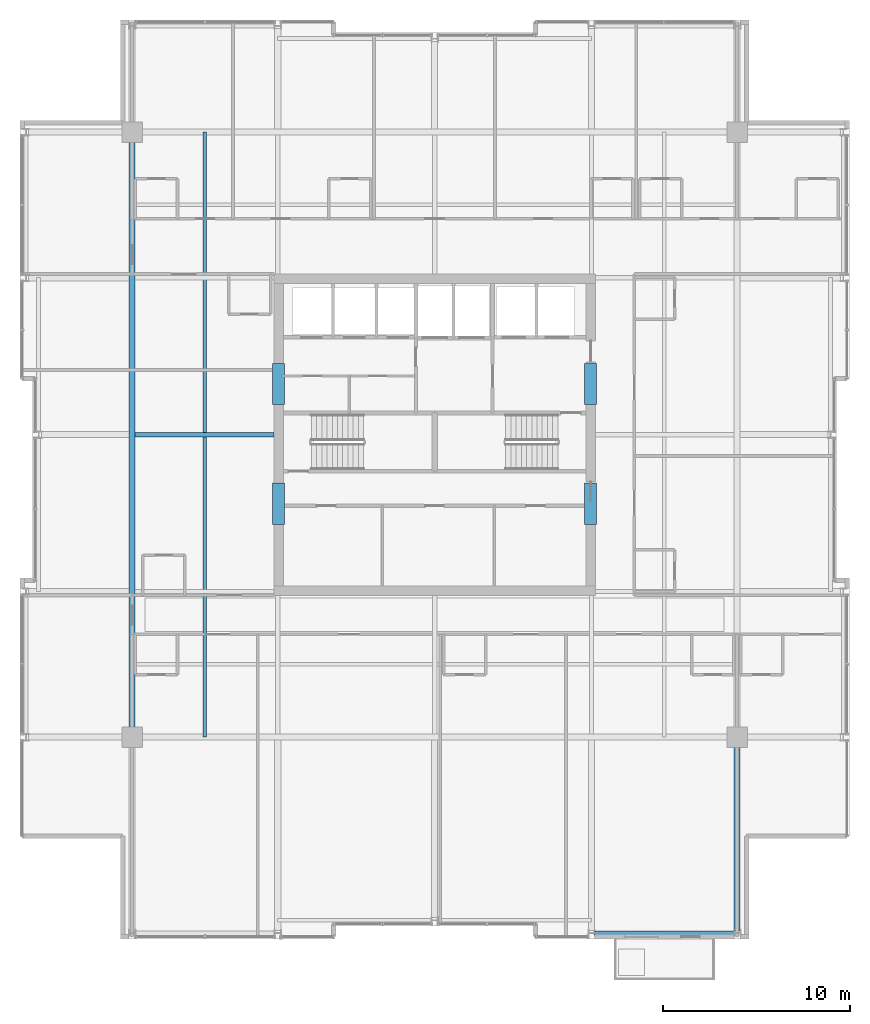
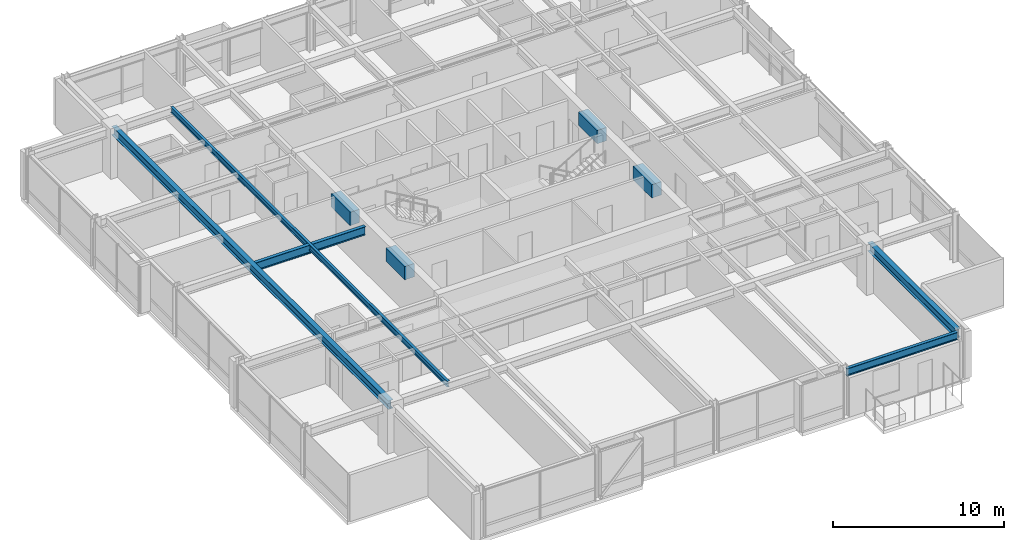
# One storey, part 12 of 32: 9 beams.
"""IFC4 building model written with IfcOpenShell, lengths in metres."""

from ifc_helpers import new_model, si_unit, direction, frame, origin, origin_2d, place, context, subcontext, project, spatial, rectangle, i_section, extrude, material, material_profile, profile_set, type_object, element, save


model = new_model("IFC4")

# Units and contexts
model_context = context("Model", 3, precision=1e-05, world=origin(), true_north=direction((0.0, 1.0)))
body_context = subcontext(model_context, "Body", "Model", "MODEL_VIEW")
ifc_project = project(units=[si_unit("LENGTHUNIT", "METRE"), si_unit("AREAUNIT", "SQUARE_METRE"), si_unit("VOLUMEUNIT", "CUBIC_METRE"), si_unit("PLANEANGLEUNIT", "RADIAN"), si_unit("MASSUNIT", "GRAM", prefix="KILO")], contexts=[model_context])

# Site, building, storey
site_placement = place(None, origin())
site = spatial("IfcSite", under=ifc_project, at=site_placement, CompositionType="ELEMENT")
building_placement = place(site_placement, origin())
building = spatial("IfcBuilding", under=site, at=building_placement, Name="Drelvath Grand Hotel", CompositionType="ELEMENT")
storey_placement = place(building_placement, frame((0.0, 0.0, 237.5)))
storey = spatial("IfcBuildingStorey", under=building, at=storey_placement, Name="L62", CompositionType="ELEMENT", Elevation=237.5)

# Beams
ifc_material_1 = material(Name="Steel ASTM A992 Gr 50", Category="steel")
ifc_material_profile_1 = material_profile(ifc_material_1, i_section(OverallWidth=0.177734375, OverallDepth=0.40673828125, WebThickness=0.0078125, FlangeThickness=0.0126953125, FilletRadius=0.014892578125, at=origin_2d()), Name="W16X40")
ifc_profile_set_1 = profile_set([ifc_material_profile_1], Name="Steel ASTM A992 Gr 50")
beam_type_1 = type_object("IfcBeamType", Name="Composite Floor Joist W16X40", PredefinedType="JOIST", material=ifc_profile_set_1)
beam_1_placement = place(storey_placement, frame((-12.300048828125, 10.800048828125, 3.13671875), z_axis=(0.0, 1.0, 0.0), x_axis=(-1.0, 0.0, 0.0)))
element("IfcBeam", 1, at=beam_1_placement, inside=storey, type_object=beam_type_1, Name="L62 Wing Floor Joist J3", PredefinedType="JOIST", context=body_context, shape_type="SweptSolid", body=[
    extrude(i_section(OverallWidth=0.177734375, OverallDepth=0.40673828125, WebThickness=0.0078125, FlangeThickness=0.0126953125, FilletRadius=0.014892578125, at=origin_2d()), origin(), (0.0, 0.0, 1.0), 32.39990234375),
])
ifc_material_2 = material(Name="Concrete f'c 55 MPa", Category="concrete")
ifc_material_profile_2 = material_profile(ifc_material_2, rectangle(XDim=0.64990234375, YDim=0.949951171875, at=origin_2d()), Name="CB650X950")
ifc_profile_set_2 = profile_set([ifc_material_profile_2], Name="Concrete f'c 55 MPa")
beam_type_2 = type_object("IfcBeamType", Name="Core Coupling Lintel CB650X950", PredefinedType="LINTEL", material=ifc_profile_set_2)
for number, where, z_axis, x_axis, name in (
    (2, (-8.35009765625, 22.199951171875, 2.864990234375), (0.0, 1.0, 0.0), (-1.0, 0.0, 0.0), "L62 Core Coupling Lintel WS"),
    (3, (-8.35009765625, 28.60009765625, 2.864990234375), (0.0, 1.0, 0.0), (-1.0, 0.0, 0.0), "L62 Core Coupling Lintel WN"),
    (4, (8.35009765625, 22.199951171875, 2.864990234375), (0.0, 1.0, 0.0), (-1.0, 0.0, 0.0), "L62 Core Coupling Lintel ES"),
    (5, (8.35009765625, 28.60009765625, 2.864990234375), (0.0, 1.0, 0.0), (-1.0, 0.0, 0.0), "L62 Core Coupling Lintel EN"),
):
    element("IfcBeam", number, at=place(storey_placement, frame(where, z_axis=z_axis, x_axis=x_axis)), inside=storey, type_object=beam_type_2, Name=name, PredefinedType="LINTEL", context=body_context, shape_type="SweptSolid", body=[
        extrude(rectangle(XDim=0.64990234375, YDim=0.949951171875, at=origin_2d()), origin(), (0.0, 0.0, 1.0), 2.199951171875),
    ])
ifc_material_profile_3 = material_profile(ifc_material_1, i_section(OverallWidth=0.210205078125, OverallDepth=0.53662109375, WebThickness=0.010986328125, FlangeThickness=0.017333984375, FilletRadius=0.01806640625, at=origin_2d()), Name="W21X68")
ifc_profile_set_3 = profile_set([ifc_material_profile_3], Name="Steel ASTM A992 Gr 50")
beam_type_3 = type_object("IfcBeamType", Name="Perimeter Spandrel Beam W21X68", PredefinedType="SPANDREL", material=ifc_profile_set_3)
beam_2_placement = place(storey_placement, frame((8.5400390625, 0.320068359375, 3.07177734375), z_axis=(1.0, 0.0, 0.0), x_axis=(0.0, 1.0, 0.0)))
element("IfcBeam", 6, at=beam_2_placement, inside=storey, type_object=beam_type_3, Name="L62 Spandrel South E", PredefinedType="SPANDREL", context=body_context, shape_type="SweptSolid", body=[
    extrude(i_section(OverallWidth=0.210205078125, OverallDepth=0.53662109375, WebThickness=0.010986328125, FlangeThickness=0.017333984375, FilletRadius=0.01806640625, at=origin_2d()), origin(), (0.0, 0.0, 1.0), 7.52001953125),
])
ifc_material_profile_4 = material_profile(ifc_material_1, i_section(OverallWidth=0.323974609375, OverallDepth=0.611083984375, WebThickness=0.0126953125, FlangeThickness=0.01904296875, FilletRadius=0.02197265625, at=origin_2d()), Name="W24X104")
ifc_profile_set_4 = profile_set([ifc_material_profile_4], Name="Steel ASTM A992 Gr 50")
beam_type_4 = type_object("IfcBeamType", Name="Primary Floor Girder W24X104", PredefinedType="BEAM", material=ifc_profile_set_4)
beam_3_placement = place(storey_placement, frame((-16.199951171875, 10.800048828125, 3.034423828125), z_axis=(0.0, 1.0, 0.0), x_axis=(-1.0, 0.0, 0.0)))
element("IfcBeam", 7, at=beam_3_placement, inside=storey, type_object=beam_type_4, Name="L62 Mega Ring Girder West", PredefinedType="BEAM", context=body_context, shape_type="SweptSolid", body=[
    extrude(i_section(OverallWidth=0.323974609375, OverallDepth=0.611083984375, WebThickness=0.0126953125, FlangeThickness=0.01904296875, FilletRadius=0.02197265625, at=origin_2d()), origin(), (0.0, 0.0, 1.0), 32.39990234375),
])
beam_4_placement = place(storey_placement, frame((16.199951171875, 0.4599609375, 3.034423828125), z_axis=(0.0, 1.0, 0.0), x_axis=(-1.0, 0.0, 0.0)))
element("IfcBeam", 8, at=beam_4_placement, inside=storey, type_object=beam_type_4, Name="L62 South Grid Girder 7", PredefinedType="BEAM", context=body_context, shape_type="SweptSolid", body=[
    extrude(i_section(OverallWidth=0.323974609375, OverallDepth=0.611083984375, WebThickness=0.0126953125, FlangeThickness=0.01904296875, FilletRadius=0.02197265625, at=origin_2d()), origin(), (0.0, 0.0, 1.0), 10.340087890625),
])
ifc_material_profile_5 = material_profile(ifc_material_1, i_section(OverallWidth=0.228271484375, OverallDepth=0.607666015625, WebThickness=0.01123046875, FlangeThickness=0.017333984375, FilletRadius=0.02001953125, at=origin_2d()), Name="W24X76")
ifc_profile_set_5 = profile_set([ifc_material_profile_5], Name="Steel ASTM A992 Gr 50")
beam_type_5 = type_object("IfcBeamType", Name="Primary Floor Girder W24X76", PredefinedType="BEAM", material=ifc_profile_set_5)
beam_5_placement = place(storey_placement, frame((-16.0380859375, 27.0, 3.0361328125), z_axis=(1.0, 0.0, 0.0), x_axis=(0.0, 1.0, 0.0)))
element("IfcBeam", 9, at=beam_5_placement, inside=storey, type_object=beam_type_5, Name="L62 West Core Tie E", PredefinedType="BEAM", context=body_context, shape_type="SweptSolid", body=[
    extrude(i_section(OverallWidth=0.228271484375, OverallDepth=0.607666015625, WebThickness=0.01123046875, FlangeThickness=0.017333984375, FilletRadius=0.02001953125, at=origin_2d()), origin(), (0.0, 0.0, 1.0), 7.43798828125),
])

save(model, "model.ifc")
